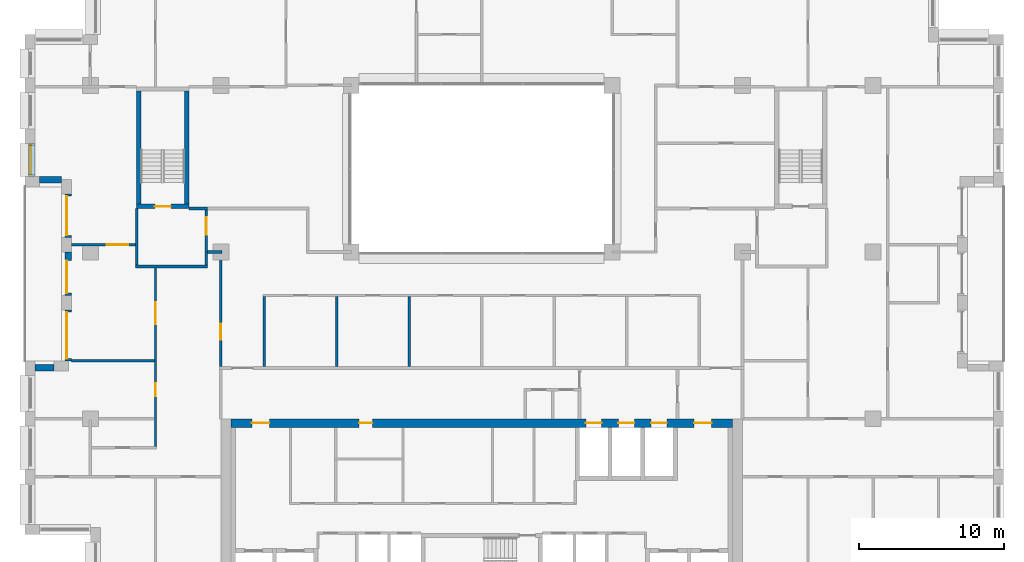
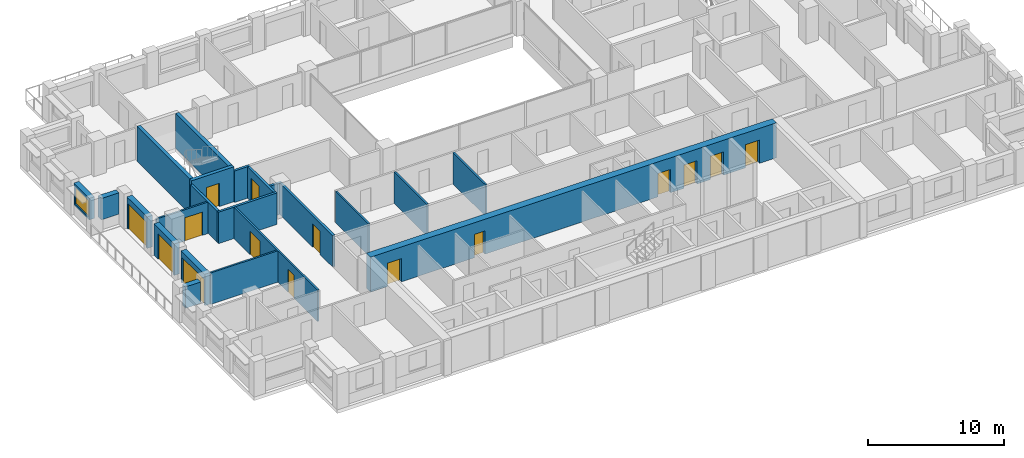
# One storey, part 9 of 16: 22 walls, 15 doors, 1 window, 16 openings.
"""IFC4 building model written with IfcOpenShell, lengths in metres."""

from ifc_helpers import new_model, si_unit, direction, frame, frame_2d, origin, place, context, subcontext, project, spatial, rectangle, extrude, material, layer, layer_set, type_object, element, fill, save


model = new_model("IFC4")

# Units and contexts
model_context = context("Model", 3, precision=1e-05, world=origin(), true_north=direction((0.0, 1.0)))
body_context = subcontext(model_context, "Body", "Model", "MODEL_VIEW")
ifc_project = project(units=[si_unit("LENGTHUNIT", "METRE"), si_unit("AREAUNIT", "SQUARE_METRE"), si_unit("VOLUMEUNIT", "CUBIC_METRE"), si_unit("PLANEANGLEUNIT", "RADIAN"), si_unit("MASSUNIT", "GRAM", prefix="KILO")], contexts=[model_context])

# Site, building, storey
site_placement = place(None, origin())
site = spatial("IfcSite", under=ifc_project, at=site_placement, CompositionType="ELEMENT")
building_placement = place(site_placement, origin())
building = spatial("IfcBuilding", under=site, at=building_placement, Name="Brigalow Station Residences", CompositionType="ELEMENT")
storey_placement = place(building_placement, frame((0.0, 0.0, 169.64990234375)))
storey = spatial("IfcBuildingStorey", under=building, at=storey_placement, Name="L49", CompositionType="ELEMENT", Elevation=169.64990234375)

# Wall, opening, window
ifc_material_1 = material(Name="Clay brick masonry", Category="masonry")
ifc_layer_1 = layer(ifc_material_1, 0.449951171875)
ifc_layer_set_1 = layer_set([ifc_layer_1], Name="BRICK INFILL WALL 450")
wall_type_1 = type_object("IfcWallType", Name="BRICK INFILL WALL 450", PredefinedType="SOLIDWALL", material=ifc_layer_set_1)
wall_1_placement = place(storey_placement, frame((4.97509765625, 31.5, 0.900146484375), z_axis=(0.0, 0.0, 1.0), x_axis=(0.0, -1.0, 0.0)))
wall_1 = element("IfcWall", 1, at=wall_1_placement, inside=storey, type_object=wall_type_1, Name="L49/ewall/W-L49-39", PredefinedType="SOLIDWALL", context=body_context, shape_type="SweptSolid", body=[
    extrude(rectangle(XDim=2.300048828125, YDim=0.449951171875, at=frame_2d((1.14990234375, 0.0))), origin(), (0.0, 0.0, 1.0), 1.929931640625),
])
opening_1_placement = place(wall_1_placement, frame((0.14990234375, 0.0, 0.14990234375)))
opening_1 = element("IfcOpeningElement", 2, at=opening_1_placement, cuts=wall_1, Name="Opening WT-7", PredefinedType="OPENING", context=body_context, shape_type="SweptSolid", body=[
    extrude(rectangle(XDim=2.0, YDim=1.5, at=frame_2d((1.0, 0.75))), frame((0.0, 0.23486328125, 0.0), z_axis=(0.0, -1.0, 0.0), x_axis=(1.0, 0.0, 0.0)), (0.0, 0.0, 1.0), 0.469970703125),
])
ifc_material_2 = material(Name="Anodised aluminium frame with double glazing", Category="aluminium")
window_type = type_object("IfcWindowType", Name="WINDOW 2000x1500", PartitioningType="SINGLE_PANEL", PredefinedType="WINDOW", material=ifc_material_2)
window_placement = place(opening_1_placement, origin())
window = element("IfcWindow", 3, at=window_placement, inside=storey, type_object=window_type, Name="L49/window/W-L49-39", OverallHeight=1.5, OverallWidth=2.0, PartitioningType="SINGLE_PANEL", PredefinedType="WINDOW", context=body_context, shape_type="SweptSolid", body=[
    extrude(rectangle(XDim=2.0, YDim=1.5, at=frame_2d((1.0, 0.75))), frame((0.0, -0.06494140625, 0.0), z_axis=(0.0, -1.0, 0.0), x_axis=(1.0, 0.0, 0.0)), (0.0, 0.0, 1.0), 0.06005859375),
])
fill(opening_1, window)

# Wall
wall_2_placement = place(storey_placement, frame((5.5, 28.97509765625, 0.900146484375), z_axis=(0.0, 0.0, 1.0), x_axis=(1.0, 0.0, 0.0)))
element("IfcWall", 4, at=wall_2_placement, inside=storey, type_object=wall_type_1, Name="L49/ewall/W-L49-40", PredefinedType="SOLIDWALL", context=body_context, shape_type="SweptSolid", body=[
    extrude(rectangle(XDim=1.5, YDim=0.449951171875, at=frame_2d((0.75, 0.0))), origin(), (0.0, 0.0, 1.0), 1.929931640625),
])

# Wall, opening, door
wall_3_placement = place(storey_placement, frame((7.47509765625, 28.0, 0.0), z_axis=(0.0, 0.0, 1.0), x_axis=(0.0, -1.0, 0.0)))
wall_3 = element("IfcWall", 5, at=wall_3_placement, inside=storey, type_object=wall_type_1, Name="L49/ewall/W-L49-41", PredefinedType="SOLIDWALL", context=body_context, shape_type="SweptSolid", body=[
    extrude(rectangle(XDim=3.0, YDim=0.449951171875, at=frame_2d((1.5, 0.0))), origin(), (0.0, 0.0, 1.0), 2.830078125),
])
opening_2_placement = place(wall_3_placement, frame((0.14990234375, 0.0, 0.0)))
opening_2 = element("IfcOpeningElement", 6, at=opening_2_placement, cuts=wall_3, Name="Opening D-B2700", PredefinedType="OPENING", context=body_context, shape_type="SweptSolid", body=[
    extrude(rectangle(XDim=2.699951171875, YDim=2.300048828125, at=frame_2d((1.35009765625, 1.14990234375))), frame((0.0, 0.23486328125, 0.0), z_axis=(0.0, -1.0, 0.0), x_axis=(1.0, 0.0, 0.0)), (0.0, 0.0, 1.0), 0.469970703125),
])
ifc_material_3 = material(Name="Anodised aluminium frame with double glazing", Category="aluminium")
door_type_1 = type_object("IfcDoorType", Name="BALCONY SLIDING DOOR 2700x2300", OperationType="SLIDING_TO_LEFT", PredefinedType="DOOR", material=ifc_material_3)
door_1_placement = place(opening_2_placement, origin())
door_1 = element("IfcDoor", 7, at=door_1_placement, inside=storey, type_object=door_type_1, Name="L49/balcony-door/W-L49-41", OperationType="SLIDING_TO_LEFT", OverallHeight=2.300048828125, OverallWidth=2.699951171875, PredefinedType="DOOR", context=body_context, shape_type="SweptSolid", body=[
    extrude(rectangle(XDim=2.699951171875, YDim=2.300048828125, at=frame_2d((1.35009765625, 1.14990234375))), frame((0.0, -0.06982421875, 0.0), z_axis=(0.0, -1.0, 0.0), x_axis=(1.0, 0.0, 0.0)), (0.0, 0.0, 1.0), 0.050048828125),
])
fill(opening_2, door_1)

wall_4_placement = place(storey_placement, frame((7.47509765625, 24.0, 0.0), z_axis=(0.0, 0.0, 1.0), x_axis=(0.0, -1.0, 0.0)))
wall_4 = element("IfcWall", 8, at=wall_4_placement, inside=storey, type_object=wall_type_1, Name="L49/ewall/W-L49-42", PredefinedType="SOLIDWALL", context=body_context, shape_type="SweptSolid", body=[
    extrude(rectangle(XDim=3.0, YDim=0.449951171875, at=frame_2d((1.5, 0.0))), origin(), (0.0, 0.0, 1.0), 2.830078125),
])
opening_3_placement = place(wall_4_placement, frame((0.5849609375, 0.0, 0.0)))
opening_3 = element("IfcOpeningElement", 9, at=opening_3_placement, cuts=wall_4, Name="Opening D-B2250", PredefinedType="OPENING", context=body_context, shape_type="SweptSolid", body=[
    extrude(rectangle(XDim=2.25, YDim=2.300048828125, at=frame_2d((1.125, 1.14990234375))), frame((0.0, 0.23486328125, 0.0), z_axis=(0.0, -1.0, 0.0), x_axis=(1.0, 0.0, 0.0)), (0.0, 0.0, 1.0), 0.469970703125),
])
ifc_material_4 = material(Name="Anodised aluminium frame with double glazing", Category="aluminium")
door_type_2 = type_object("IfcDoorType", Name="BALCONY SLIDING DOOR 2250x2300", OperationType="SLIDING_TO_LEFT", PredefinedType="DOOR", material=ifc_material_4)
door_2_placement = place(opening_3_placement, origin())
door_2 = element("IfcDoor", 10, at=door_2_placement, inside=storey, type_object=door_type_2, Name="L49/balcony-door/W-L49-42", OperationType="SLIDING_TO_LEFT", OverallHeight=2.300048828125, OverallWidth=2.25, PredefinedType="DOOR", context=body_context, shape_type="SweptSolid", body=[
    extrude(rectangle(XDim=2.25, YDim=2.300048828125, at=frame_2d((1.125, 1.14990234375))), frame((0.0, -0.06982421875, 0.0), z_axis=(0.0, -1.0, 0.0), x_axis=(1.0, 0.0, 0.0)), (0.0, 0.0, 1.0), 0.050048828125),
])
fill(opening_3, door_2)

wall_5_placement = place(storey_placement, frame((7.47509765625, 20.0, 0.0), z_axis=(0.0, 0.0, 1.0), x_axis=(0.0, -1.0, 0.0)))
wall_5 = element("IfcWall", 11, at=wall_5_placement, inside=storey, type_object=wall_type_1, Name="L49/ewall/W-L49-43", PredefinedType="SOLIDWALL", context=body_context, shape_type="SweptSolid", body=[
    extrude(rectangle(XDim=3.5, YDim=0.449951171875, at=frame_2d((1.75, 0.0))), origin(), (0.0, 0.0, 1.0), 2.830078125),
])
opening_4_placement = place(wall_5_placement, frame((0.14990234375, 0.0, 0.0)))
opening_4 = element("IfcOpeningElement", 12, at=opening_4_placement, cuts=wall_5, Name="Opening D-B3200", PredefinedType="OPENING", context=body_context, shape_type="SweptSolid", body=[
    extrude(rectangle(XDim=3.199951171875, YDim=2.300048828125, at=frame_2d((1.60009765625, 1.14990234375))), frame((0.0, 0.23486328125, 0.0), z_axis=(0.0, -1.0, 0.0), x_axis=(1.0, 0.0, 0.0)), (0.0, 0.0, 1.0), 0.469970703125),
])
ifc_material_5 = material(Name="Anodised aluminium frame with double glazing", Category="aluminium")
door_type_3 = type_object("IfcDoorType", Name="BALCONY SLIDING DOOR 3200x2300", OperationType="SLIDING_TO_LEFT", PredefinedType="DOOR", material=ifc_material_5)
door_3_placement = place(opening_4_placement, origin())
door_3 = element("IfcDoor", 13, at=door_3_placement, inside=storey, type_object=door_type_3, Name="L49/balcony-door/W-L49-43", OperationType="SLIDING_TO_LEFT", OverallHeight=2.300048828125, OverallWidth=3.199951171875, PredefinedType="DOOR", context=body_context, shape_type="SweptSolid", body=[
    extrude(rectangle(XDim=3.199951171875, YDim=2.300048828125, at=frame_2d((1.60009765625, 1.14990234375))), frame((0.0, -0.06982421875, 0.0), z_axis=(0.0, -1.0, 0.0), x_axis=(1.0, 0.0, 0.0)), (0.0, 0.0, 1.0), 0.050048828125),
])
fill(opening_4, door_3)

# Wall
wall_6_placement = place(storey_placement, frame((6.5, 16.02490234375, 0.900146484375), z_axis=(0.0, 0.0, 1.0), x_axis=(-1.0, 0.0, 0.0)))
element("IfcWall", 14, at=wall_6_placement, inside=storey, type_object=wall_type_1, Name="L49/ewall/W-L49-44", PredefinedType="SOLIDWALL", context=body_context, shape_type="SweptSolid", body=[
    extrude(rectangle(XDim=1.300048828125, YDim=0.449951171875, at=frame_2d((0.64990234375, 0.0))), origin(), (0.0, 0.0, 1.0), 1.929931640625),
])

# Wall, opening, door
ifc_material_6 = material(Name="Concrete C65", Category="concrete")
ifc_layer_2 = layer(ifc_material_6, 0.300048828125)
ifc_layer_set_2 = layer_set([ifc_layer_2], Name="CORE SHEAR WALL 300 C65")
wall_type_2 = type_object("IfcWallType", Name="CORE SHEAR WALL 300 C65", PredefinedType="SHEAR", material=ifc_layer_set_2)
wall_7_placement = place(storey_placement, frame((12.199951171875, 27.14990234375, 0.0), z_axis=(0.0, 0.0, 1.0), x_axis=(1.0, 0.0, 0.0)))
wall_7 = element("IfcWall", 15, at=wall_7_placement, inside=storey, type_object=wall_type_2, Name="CORE WALL ST-S1-S L49", PredefinedType="SHEAR", context=body_context, shape_type="SweptSolid", body=[
    extrude(rectangle(XDim=3.60009765625, YDim=0.300048828125, at=frame_2d((1.800048828125, 0.0))), origin(), (0.0, 0.0, 1.0), 3.150146484375),
])
opening_5_placement = place(wall_7_placement, frame((1.25, 0.0, 0.0)))
opening_5 = element("IfcOpeningElement", 16, at=opening_5_placement, cuts=wall_7, Name="Opening D-5015", PredefinedType="OPENING", context=body_context, shape_type="SweptSolid", body=[
    extrude(rectangle(XDim=1.10009765625, YDim=2.10009765625, at=frame_2d((0.550048828125, 1.050048828125))), frame((0.0, 0.16015625, 0.0), z_axis=(0.0, -1.0, 0.0), x_axis=(1.0, 0.0, 0.0)), (0.0, 0.0, 1.0), 0.320068359375),
])
ifc_material_7 = material(Name="Steel fire door leaf in steel frame", Category="steel")
door_type_4 = type_object("IfcDoorType", Name="STAIR DOOR 1100 x 2100 FD60S", OperationType="SINGLE_SWING_LEFT", PredefinedType="DOOR", material=ifc_material_7)
door_4_placement = place(opening_5_placement, origin())
door_4 = element("IfcDoor", 17, at=door_4_placement, inside=storey, type_object=door_type_4, Name="D-5015", OperationType="SINGLE_SWING_LEFT", OverallHeight=2.10009765625, OverallWidth=1.10009765625, PredefinedType="DOOR", context=body_context, shape_type="SweptSolid", body=[
    extrude(rectangle(XDim=1.10009765625, YDim=2.10009765625, at=frame_2d((0.550048828125, 1.050048828125))), frame((0.0, 0.02490234375, 0.0), z_axis=(0.0, -1.0, 0.0), x_axis=(1.0, 0.0, 0.0)), (0.0, 0.0, 1.0), 0.050048828125),
])
fill(opening_5, door_4)

# Walls
for number, where, z_axis, x_axis, name in (
    (18, (12.35009765625, 27.300048828125, 0.0), (0.0, 0.0, 1.0), (0.0, 1.0, 0.0), "CORE WALL ST-S1-W L49"),
    (19, (15.64990234375, 27.300048828125, 0.0), (0.0, 0.0, 1.0), (0.0, 1.0, 0.0), "CORE WALL ST-S1-E L49"),
):
    element("IfcWall", number, at=place(storey_placement, frame(where, z_axis=z_axis, x_axis=x_axis)), inside=storey, type_object=wall_type_2, Name=name, PredefinedType="SHEAR", context=body_context, shape_type="SweptSolid", body=[
        extrude(rectangle(XDim=7.800048828125, YDim=0.300048828125, at=frame_2d((3.89990234375, 0.0))), origin(), (0.0, 0.0, 1.0), 3.150146484375),
    ])

# Wall, openings, doors
ifc_material_8 = material(Name="Concrete C65", Category="concrete")
ifc_layer_3 = layer(ifc_material_8, 0.60009765625)
ifc_layer_set_3 = layer_set([ifc_layer_3], Name="CORE SHEAR WALL 600 C65")
wall_type_3 = type_object("IfcWallType", Name="CORE SHEAR WALL 600 C65", PredefinedType="SHEAR", material=ifc_layer_set_3)
wall_8_placement = place(storey_placement, frame((18.699951171875, 12.199951171875, 0.0), z_axis=(0.0, 0.0, 1.0), x_axis=(1.0, 0.0, 0.0)))
wall_8 = element("IfcWall", 20, at=wall_8_placement, inside=storey, type_object=wall_type_3, Name="CORE WALL OUT-N L49", PredefinedType="SHEAR", context=body_context, shape_type="SweptSolid", body=[
    extrude(rectangle(XDim=34.60009765625, YDim=0.60009765625, at=frame_2d((17.300048828125, 0.0))), origin(), (0.0, 0.0, 1.0), 3.150146484375),
])
opening_6_placement = place(wall_8_placement, frame((24.47509765625, 0.0, 0.0)))
opening_6 = element("IfcOpeningElement", 21, at=opening_6_placement, cuts=wall_8, Name="Opening LD-LF1", PredefinedType="OPENING", context=body_context, shape_type="SweptSolid", body=[
    extrude(rectangle(XDim=1.10009765625, YDim=2.10009765625, at=frame_2d((0.550048828125, 1.050048828125))), frame((0.0, 0.31005859375, 0.0), z_axis=(0.0, -1.0, 0.0), x_axis=(1.0, 0.0, 0.0)), (0.0, 0.0, 1.0), 0.6201171875),
])
opening_7_placement = place(wall_8_placement, frame((26.72509765625, 0.0, 0.0)))
opening_7 = element("IfcOpeningElement", 22, at=opening_7_placement, cuts=wall_8, Name="Opening LD-LF2", PredefinedType="OPENING", context=body_context, shape_type="SweptSolid", body=[
    extrude(rectangle(XDim=1.10009765625, YDim=2.10009765625, at=frame_2d((0.550048828125, 1.050048828125))), frame((0.0, 0.31005859375, 0.0), z_axis=(0.0, -1.0, 0.0), x_axis=(1.0, 0.0, 0.0)), (0.0, 0.0, 1.0), 0.6201171875),
])
opening_8_placement = place(wall_8_placement, frame((28.97509765625, 0.0, 0.0)))
opening_8 = element("IfcOpeningElement", 23, at=opening_8_placement, cuts=wall_8, Name="Opening LD-LG1", PredefinedType="OPENING", context=body_context, shape_type="SweptSolid", body=[
    extrude(rectangle(XDim=1.10009765625, YDim=2.10009765625, at=frame_2d((0.550048828125, 1.050048828125))), frame((0.0, 0.31005859375, 0.0), z_axis=(0.0, -1.0, 0.0), x_axis=(1.0, 0.0, 0.0)), (0.0, 0.0, 1.0), 0.6201171875),
])
opening_9_placement = place(wall_8_placement, frame((8.85009765625, 0.0, 0.0)))
opening_9 = element("IfcOpeningElement", 24, at=opening_9_placement, cuts=wall_8, Name="Opening D-5121", PredefinedType="OPENING", context=body_context, shape_type="SweptSolid", body=[
    extrude(rectangle(XDim=0.89990234375, YDim=2.10009765625, at=frame_2d((0.449951171875, 1.050048828125))), frame((0.0, 0.31005859375, 0.0), z_axis=(0.0, -1.0, 0.0), x_axis=(1.0, 0.0, 0.0)), (0.0, 0.0, 1.0), 0.6201171875),
])
opening_10_placement = place(wall_8_placement, frame((1.449951171875, 0.0, 0.0)))
opening_10 = element("IfcOpeningElement", 25, at=opening_10_placement, cuts=wall_8, Name="Opening D-5011", PredefinedType="OPENING", context=body_context, shape_type="SweptSolid", body=[
    extrude(rectangle(XDim=1.199951171875, YDim=2.10009765625, at=frame_2d((0.60009765625, 1.050048828125))), frame((0.0, 0.31005859375, 0.0), z_axis=(0.0, -1.0, 0.0), x_axis=(1.0, 0.0, 0.0)), (0.0, 0.0, 1.0), 0.6201171875),
])
opening_11_placement = place(wall_8_placement, frame((31.949951171875, 0.0, 0.0)))
opening_11 = element("IfcOpeningElement", 26, at=opening_11_placement, cuts=wall_8, Name="Opening D-5012", PredefinedType="OPENING", context=body_context, shape_type="SweptSolid", body=[
    extrude(rectangle(XDim=1.199951171875, YDim=2.10009765625, at=frame_2d((0.60009765625, 1.050048828125))), frame((0.0, 0.31005859375, 0.0), z_axis=(0.0, -1.0, 0.0), x_axis=(1.0, 0.0, 0.0)), (0.0, 0.0, 1.0), 0.6201171875),
])
ifc_material_9 = material(Name="Steel fire door leaf in steel frame", Category="steel")
door_type_5 = type_object("IfcDoorType", Name="CORE CORRIDOR DOOR 1200 x 2100 FD60S", OperationType="SINGLE_SWING_LEFT", PredefinedType="DOOR", material=ifc_material_9)
door_5_placement = place(opening_10_placement, frame((1.199951171875, 0.0, 0.0), z_axis=(0.0, 0.0, 1.0), x_axis=(-1.0, 0.0, 0.0)))
door_5 = element("IfcDoor", 27, at=door_5_placement, inside=storey, type_object=door_type_5, Name="D-5011", OperationType="SINGLE_SWING_LEFT", OverallHeight=2.10009765625, OverallWidth=1.199951171875, PredefinedType="DOOR", context=body_context, shape_type="SweptSolid", body=[
    extrude(rectangle(XDim=1.199951171875, YDim=2.10009765625, at=frame_2d((0.60009765625, 1.050048828125))), frame((0.0, 0.02490234375, 0.0), z_axis=(0.0, -1.0, 0.0), x_axis=(1.0, 0.0, 0.0)), (0.0, 0.0, 1.0), 0.050048828125),
])
fill(opening_10, door_5)
door_6_placement = place(opening_11_placement, frame((1.199951171875, 0.0, 0.0), z_axis=(0.0, 0.0, 1.0), x_axis=(-1.0, 0.0, 0.0)))
door_6 = element("IfcDoor", 28, at=door_6_placement, inside=storey, type_object=door_type_5, Name="D-5012", OperationType="SINGLE_SWING_RIGHT", OverallHeight=2.10009765625, OverallWidth=1.199951171875, PredefinedType="DOOR", context=body_context, shape_type="SweptSolid", body=[
    extrude(rectangle(XDim=1.199951171875, YDim=2.10009765625, at=frame_2d((0.60009765625, 1.050048828125))), frame((0.0, 0.02490234375, 0.0), z_axis=(0.0, -1.0, 0.0), x_axis=(1.0, 0.0, 0.0)), (0.0, 0.0, 1.0), 0.050048828125),
])
fill(opening_11, door_6)
ifc_material_10 = material(Name="Stainless steel sliding door leaves", Category="steel")
door_type_6 = type_object("IfcDoorType", Name="LIFT LANDING DOOR 1100 x 2100", OperationType="DOUBLE_DOOR_SLIDING", PredefinedType="DOOR", material=ifc_material_10)
door_7_placement = place(opening_6_placement, origin())
door_7 = element("IfcDoor", 29, at=door_7_placement, inside=storey, type_object=door_type_6, Name="LANDING DOOR LF1", OperationType="DOUBLE_DOOR_SLIDING", OverallHeight=2.10009765625, OverallWidth=1.10009765625, PredefinedType="DOOR", context=body_context, shape_type="SweptSolid", body=[
    extrude(rectangle(XDim=1.10009765625, YDim=2.10009765625, at=frame_2d((0.550048828125, 1.050048828125))), frame((0.0, 0.02490234375, 0.0), z_axis=(0.0, -1.0, 0.0), x_axis=(1.0, 0.0, 0.0)), (0.0, 0.0, 1.0), 0.050048828125),
])
fill(opening_6, door_7)
door_8_placement = place(opening_7_placement, origin())
door_8 = element("IfcDoor", 30, at=door_8_placement, inside=storey, type_object=door_type_6, Name="LANDING DOOR LF2", OperationType="DOUBLE_DOOR_SLIDING", OverallHeight=2.10009765625, OverallWidth=1.10009765625, PredefinedType="DOOR", context=body_context, shape_type="SweptSolid", body=[
    extrude(rectangle(XDim=1.10009765625, YDim=2.10009765625, at=frame_2d((0.550048828125, 1.050048828125))), frame((0.0, 0.02490234375, 0.0), z_axis=(0.0, -1.0, 0.0), x_axis=(1.0, 0.0, 0.0)), (0.0, 0.0, 1.0), 0.050048828125),
])
fill(opening_7, door_8)
door_9_placement = place(opening_8_placement, origin())
door_9 = element("IfcDoor", 31, at=door_9_placement, inside=storey, type_object=door_type_6, Name="LANDING DOOR LG1", OperationType="DOUBLE_DOOR_SLIDING", OverallHeight=2.10009765625, OverallWidth=1.10009765625, PredefinedType="DOOR", context=body_context, shape_type="SweptSolid", body=[
    extrude(rectangle(XDim=1.10009765625, YDim=2.10009765625, at=frame_2d((0.550048828125, 1.050048828125))), frame((0.0, 0.02490234375, 0.0), z_axis=(0.0, -1.0, 0.0), x_axis=(1.0, 0.0, 0.0)), (0.0, 0.0, 1.0), 0.050048828125),
])
fill(opening_8, door_9)
ifc_material_11 = material(Name="Steel door leaf in steel frame", Category="steel")
door_type_7 = type_object("IfcDoorType", Name="SERVICE ROOM DOOR 900 x 2100 FD60", OperationType="SINGLE_SWING_LEFT", PredefinedType="DOOR", material=ifc_material_11)
door_10_placement = place(opening_9_placement, frame((0.89990234375, 0.0, 0.0), z_axis=(0.0, 0.0, 1.0), x_axis=(-1.0, 0.0, 0.0)))
door_10 = element("IfcDoor", 32, at=door_10_placement, inside=storey, type_object=door_type_7, Name="D-5121", OperationType="SINGLE_SWING_RIGHT", OverallHeight=2.10009765625, OverallWidth=0.89990234375, PredefinedType="DOOR", context=body_context, shape_type="SweptSolid", body=[
    extrude(rectangle(XDim=0.89990234375, YDim=2.10009765625, at=frame_2d((0.449951171875, 1.050048828125))), frame((0.0, 0.02490234375, 0.0), z_axis=(0.0, -1.0, 0.0), x_axis=(1.0, 0.0, 0.0)), (0.0, 0.0, 1.0), 0.050048828125),
])
fill(opening_9, door_10)

# Walls
ifc_material_12 = material(Name="Concrete blockwork", Category="masonry")
ifc_layer_4 = layer(ifc_material_12, 0.199951171875)
ifc_layer_set_4 = layer_set([ifc_layer_4], Name="FIRE RATED CORE PARTITION 200")
wall_type_4 = type_object("IfcWallType", Name="FIRE RATED CORE PARTITION 200", PredefinedType="PARTITIONING", material=ifc_layer_set_4)
wall_9_placement = place(storey_placement, frame((12.10009765625, 23.0, 0.0), z_axis=(0.0, 0.0, 1.0), x_axis=(1.0, 0.0, 0.0)))
element("IfcWall", 33, at=wall_9_placement, inside=storey, type_object=wall_type_4, Name="PW-5023", PredefinedType="PARTITIONING", context=body_context, shape_type="SweptSolid", body=[
    extrude(rectangle(XDim=5.0, YDim=0.199951171875, at=frame_2d((2.5, 0.0))), origin(), (0.0, 0.0, 1.0), 2.830078125),
])
wall_10_placement = place(storey_placement, frame((15.800048828125, 27.0, 0.0), z_axis=(0.0, 0.0, 1.0), x_axis=(1.0, 0.0, 0.0)))
element("IfcWall", 34, at=wall_10_placement, inside=storey, type_object=wall_type_4, Name="PW-5025", PredefinedType="PARTITIONING", context=body_context, shape_type="SweptSolid", body=[
    extrude(rectangle(XDim=1.300048828125, YDim=0.199951171875, at=frame_2d((0.64990234375, 0.0))), origin(), (0.0, 0.0, 1.0), 2.830078125),
])
wall_11_placement = place(storey_placement, frame((12.199951171875, 23.10009765625, 0.0), z_axis=(0.0, 0.0, 1.0), x_axis=(0.0, 1.0, 0.0)))
element("IfcWall", 35, at=wall_11_placement, inside=storey, type_object=wall_type_4, Name="PW-5034", PredefinedType="PARTITIONING", context=body_context, shape_type="SweptSolid", body=[
    extrude(rectangle(XDim=3.89990234375, YDim=0.199951171875, at=frame_2d((1.949951171875, 0.0))), origin(), (0.0, 0.0, 1.0), 2.830078125),
])

# Wall, opening, door
wall_12_placement = place(storey_placement, frame((17.0, 23.10009765625, 0.0), z_axis=(0.0, 0.0, 1.0), x_axis=(0.0, 1.0, 0.0)))
wall_12 = element("IfcWall", 36, at=wall_12_placement, inside=storey, type_object=wall_type_4, Name="PW-5035", PredefinedType="PARTITIONING", context=body_context, shape_type="SweptSolid", body=[
    extrude(rectangle(XDim=3.7998046875, YDim=0.199951171875, at=frame_2d((1.89990234375, 0.0))), origin(), (0.0, 0.0, 1.0), 2.830078125),
])
opening_12_placement = place(wall_12_placement, frame((2.10009765625, 0.0, 0.0)))
opening_12 = element("IfcOpeningElement", 37, at=opening_12_placement, cuts=wall_12, Name="Opening D-5016", PredefinedType="OPENING", context=body_context, shape_type="SweptSolid", body=[
    extrude(rectangle(XDim=1.199951171875, YDim=2.10009765625, at=frame_2d((0.60009765625, 1.050048828125))), frame((0.0, 0.10986328125, 0.0), z_axis=(0.0, -1.0, 0.0), x_axis=(1.0, 0.0, 0.0)), (0.0, 0.0, 1.0), 0.219970703125),
])
ifc_material_13 = material(Name="Steel fire door leaf in steel frame", Category="steel")
door_type_8 = type_object("IfcDoorType", Name="STAIR LOBBY DOOR 1200 x 2100 FD60S", OperationType="SINGLE_SWING_LEFT", PredefinedType="DOOR", material=ifc_material_13)
door_11_placement = place(opening_12_placement, origin())
door_11 = element("IfcDoor", 38, at=door_11_placement, inside=storey, type_object=door_type_8, Name="D-5016", OperationType="SINGLE_SWING_RIGHT", OverallHeight=2.10009765625, OverallWidth=1.199951171875, PredefinedType="DOOR", context=body_context, shape_type="SweptSolid", body=[
    extrude(rectangle(XDim=1.199951171875, YDim=2.10009765625, at=frame_2d((0.60009765625, 1.050048828125))), frame((0.0, 0.02490234375, 0.0), z_axis=(0.0, -1.0, 0.0), x_axis=(1.0, 0.0, 0.0)), (0.0, 0.0, 1.0), 0.050048828125),
])
fill(opening_12, door_11)

# Wall
ifc_material_14 = material(Name="Plasterboard on steel stud partition", Category="steel")
ifc_layer_5 = layer(ifc_material_14, 0.14990234375)
ifc_layer_set_5 = layer_set([ifc_layer_5], Name="FLAT PARTITION 150")
wall_type_5 = type_object("IfcWallType", Name="FLAT PARTITION 150", PredefinedType="PARTITIONING", material=ifc_layer_set_5)
wall_13_placement = place(storey_placement, frame((7.699951171875, 16.5, 0.0), z_axis=(0.0, 0.0, 1.0), x_axis=(1.0, 0.0, 0.0)))
element("IfcWall", 39, at=wall_13_placement, inside=storey, type_object=wall_type_5, Name="PW-3D13", PredefinedType="PARTITIONING", context=body_context, shape_type="SweptSolid", body=[
    extrude(rectangle(XDim=5.72509765625, YDim=0.14990234375, at=frame_2d((2.862548828125, 0.0))), origin(), (0.0, 0.0, 1.0), 2.830078125),
])

# Wall, opening, door
wall_14_placement = place(storey_placement, frame((7.699951171875, 24.5, 0.0), z_axis=(0.0, 0.0, 1.0), x_axis=(1.0, 0.0, 0.0)))
wall_14 = element("IfcWall", 40, at=wall_14_placement, inside=storey, type_object=wall_type_5, Name="PW-3D15", PredefinedType="PARTITIONING", context=body_context, shape_type="SweptSolid", body=[
    extrude(rectangle(XDim=4.400146484375, YDim=0.14990234375, at=frame_2d((2.2001953125, 0.0))), origin(), (0.0, 0.0, 1.0), 2.830078125),
])
opening_13_placement = place(wall_14_placement, frame((2.425048828125, 0.0, 0.0)))
opening_13 = element("IfcOpeningElement", 41, at=opening_13_placement, cuts=wall_14, Name="Opening D-3D10", PredefinedType="OPENING", context=body_context, shape_type="SweptSolid", body=[
    extrude(rectangle(XDim=1.5, YDim=2.10009765625, at=frame_2d((0.75, 1.050048828125))), frame((0.0, 0.0849609375, 0.0), z_axis=(0.0, -1.0, 0.0), x_axis=(1.0, 0.0, 0.0)), (0.0, 0.0, 1.0), 0.169921875),
])
ifc_material_15 = material(Name="Solid-core timber door leaf", Category="wood")
door_type_9 = type_object("IfcDoorType", Name="INTERNAL DOUBLE DOOR 1500 x 2100", OperationType="DOUBLE_DOOR_SINGLE_SWING", PredefinedType="DOOR", material=ifc_material_15)
door_12_placement = place(opening_13_placement, frame((1.5, 0.0, 0.0), z_axis=(0.0, 0.0, 1.0), x_axis=(-1.0, 0.0, 0.0)))
door_12 = element("IfcDoor", 42, at=door_12_placement, inside=storey, type_object=door_type_9, Name="D-3D10", OperationType="DOUBLE_DOOR_SINGLE_SWING", OverallHeight=2.10009765625, OverallWidth=1.5, PredefinedType="DOOR", context=body_context, shape_type="SweptSolid", body=[
    extrude(rectangle(XDim=1.5, YDim=2.10009765625, at=frame_2d((0.75, 1.050048828125))), frame((0.0, 0.02490234375, 0.0), z_axis=(0.0, -1.0, 0.0), x_axis=(1.0, 0.0, 0.0)), (0.0, 0.0, 1.0), 0.050048828125),
])
fill(opening_13, door_12)

# Wall
wall_15_placement = place(storey_placement, frame((21.0, 16.10009765625, 0.0), z_axis=(0.0, 0.0, 1.0), x_axis=(0.0, 1.0, 0.0)))
element("IfcWall", 43, at=wall_15_placement, inside=storey, type_object=wall_type_5, Name="PW-3D30", PredefinedType="PARTITIONING", context=body_context, shape_type="SweptSolid", body=[
    extrude(rectangle(XDim=4.824951171875, YDim=0.14990234375, at=frame_2d((2.41259765625, 0.0))), origin(), (0.0, 0.0, 1.0), 2.830078125),
])

# Wall, openings, doors
wall_16_placement = place(storey_placement, frame((13.5, 10.574951171875, 0.0), z_axis=(0.0, 0.0, 1.0), x_axis=(0.0, 1.0, 0.0)))
wall_16 = element("IfcWall", 44, at=wall_16_placement, inside=storey, type_object=wall_type_5, Name="PW-3D36", PredefinedType="PARTITIONING", context=body_context, shape_type="SweptSolid", body=[
    extrude(rectangle(XDim=12.324951171875, YDim=0.14990234375, at=frame_2d((6.16259765625, 0.0))), origin(), (0.0, 0.0, 1.0), 2.830078125),
])
opening_14_placement = place(wall_16_placement, frame((3.47509765625, 0.0, 0.0)))
opening_14 = element("IfcOpeningElement", 45, at=opening_14_placement, cuts=wall_16, Name="Opening D-3D08", PredefinedType="OPENING", context=body_context, shape_type="SweptSolid", body=[
    extrude(rectangle(XDim=0.89990234375, YDim=2.10009765625, at=frame_2d((0.449951171875, 1.050048828125))), frame((0.0, 0.0849609375, 0.0), z_axis=(0.0, -1.0, 0.0), x_axis=(1.0, 0.0, 0.0)), (0.0, 0.0, 1.0), 0.169921875),
])
opening_15_placement = place(wall_16_placement, frame((8.449951171875, 0.0, 0.0)))
opening_15 = element("IfcOpeningElement", 46, at=opening_15_placement, cuts=wall_16, Name="Opening D-3D09", PredefinedType="OPENING", context=body_context, shape_type="SweptSolid", body=[
    extrude(rectangle(XDim=1.5, YDim=2.10009765625, at=frame_2d((0.75, 1.050048828125))), frame((0.0, 0.0849609375, 0.0), z_axis=(0.0, -1.0, 0.0), x_axis=(1.0, 0.0, 0.0)), (0.0, 0.0, 1.0), 0.169921875),
])
ifc_material_16 = material(Name="Solid-core timber door leaf", Category="wood")
door_type_10 = type_object("IfcDoorType", Name="INTERNAL DOOR 900 x 2100", OperationType="SINGLE_SWING_LEFT", PredefinedType="DOOR", material=ifc_material_16)
door_13_placement = place(opening_14_placement, origin())
door_13 = element("IfcDoor", 47, at=door_13_placement, inside=storey, type_object=door_type_10, Name="D-3D08", OperationType="SINGLE_SWING_RIGHT", OverallHeight=2.10009765625, OverallWidth=0.89990234375, PredefinedType="DOOR", context=body_context, shape_type="SweptSolid", body=[
    extrude(rectangle(XDim=0.89990234375, YDim=2.10009765625, at=frame_2d((0.449951171875, 1.050048828125))), frame((0.0, 0.02490234375, 0.0), z_axis=(0.0, -1.0, 0.0), x_axis=(1.0, 0.0, 0.0)), (0.0, 0.0, 1.0), 0.050048828125),
])
fill(opening_14, door_13)
door_14_placement = place(opening_15_placement, origin())
door_14 = element("IfcDoor", 48, at=door_14_placement, inside=storey, type_object=door_type_9, Name="D-3D09", OperationType="DOUBLE_DOOR_SINGLE_SWING", OverallHeight=2.10009765625, OverallWidth=1.5, PredefinedType="DOOR", context=body_context, shape_type="SweptSolid", body=[
    extrude(rectangle(XDim=1.5, YDim=2.10009765625, at=frame_2d((0.75, 1.050048828125))), frame((0.0, 0.02490234375, 0.0), z_axis=(0.0, -1.0, 0.0), x_axis=(1.0, 0.0, 0.0)), (0.0, 0.0, 1.0), 0.050048828125),
])
fill(opening_15, door_14)

# Walls
for number, where, z_axis, x_axis, name in (
    (49, (26.0, 16.10009765625, 0.0), (0.0, 0.0, 1.0), (0.0, 1.0, 0.0), "PW-3D55"),
    (50, (31.0, 16.10009765625, 0.0), (0.0, 0.0, 1.0), (0.0, 1.0, 0.0), "PW-3D56"),
):
    element("IfcWall", number, at=place(storey_placement, frame(where, z_axis=z_axis, x_axis=x_axis)), inside=storey, type_object=wall_type_5, Name=name, PredefinedType="PARTITIONING", context=body_context, shape_type="SweptSolid", body=[
        extrude(rectangle(XDim=4.824951171875, YDim=0.14990234375, at=frame_2d((2.41259765625, 0.0))), origin(), (0.0, 0.0, 1.0), 2.830078125),
    ])
ifc_material_17 = material(Name="Plasterboard on steel stud partition", Category="steel")
ifc_layer_6 = layer(ifc_material_17, 0.199951171875)
ifc_layer_set_6 = layer_set([ifc_layer_6], Name="PARTY AND CORRIDOR WALL 200")
wall_type_6 = type_object("IfcWallType", Name="PARTY AND CORRIDOR WALL 200", PredefinedType="PARTITIONING", material=ifc_layer_set_6)
wall_17_placement = place(storey_placement, frame((17.10009765625, 24.0, 0.0), z_axis=(0.0, 0.0, 1.0), x_axis=(1.0, 0.0, 0.0)))
element("IfcWall", 51, at=wall_17_placement, inside=storey, type_object=wall_type_6, Name="PW-3D02", PredefinedType="PARTITIONING", context=body_context, shape_type="SweptSolid", body=[
    extrude(rectangle(XDim=1.0, YDim=0.199951171875, at=frame_2d((0.5, 0.0))), origin(), (0.0, 0.0, 1.0), 2.830078125),
])

# Wall, opening, door
wall_18_placement = place(storey_placement, frame((18.0, 16.10009765625, 0.0), z_axis=(0.0, 0.0, 1.0), x_axis=(0.0, 1.0, 0.0)))
wall_18 = element("IfcWall", 52, at=wall_18_placement, inside=storey, type_object=wall_type_6, Name="PW-3D28", PredefinedType="PARTITIONING", context=body_context, shape_type="SweptSolid", body=[
    extrude(rectangle(XDim=7.7998046875, YDim=0.199951171875, at=frame_2d((3.89990234375, 0.0))), origin(), (0.0, 0.0, 1.0), 2.830078125),
])
opening_16_placement = place(wall_18_placement, frame((1.85009765625, 0.0, 0.0)))
opening_16 = element("IfcOpeningElement", 53, at=opening_16_placement, cuts=wall_18, Name="Opening D-3D03", PredefinedType="OPENING", context=body_context, shape_type="SweptSolid", body=[
    extrude(rectangle(XDim=1.10009765625, YDim=2.10009765625, at=frame_2d((0.550048828125, 1.050048828125))), frame((0.0, 0.10986328125, 0.0), z_axis=(0.0, -1.0, 0.0), x_axis=(1.0, 0.0, 0.0)), (0.0, 0.0, 1.0), 0.219970703125),
])
ifc_material_18 = material(Name="Solid-core timber door leaf", Category="wood")
door_type_11 = type_object("IfcDoorType", Name="FLAT ENTRANCE DOOR 1100 x 2100 FRL -/60/30", OperationType="SINGLE_SWING_LEFT", PredefinedType="DOOR", material=ifc_material_18)
door_15_placement = place(opening_16_placement, origin())
door_15 = element("IfcDoor", 54, at=door_15_placement, inside=storey, type_object=door_type_11, Name="D-3D03", OperationType="SINGLE_SWING_RIGHT", OverallHeight=2.10009765625, OverallWidth=1.10009765625, PredefinedType="DOOR", context=body_context, shape_type="SweptSolid", body=[
    extrude(rectangle(XDim=1.10009765625, YDim=2.10009765625, at=frame_2d((0.550048828125, 1.050048828125))), frame((0.0, 0.02490234375, 0.0), z_axis=(0.0, -1.0, 0.0), x_axis=(1.0, 0.0, 0.0)), (0.0, 0.0, 1.0), 0.050048828125),
])
fill(opening_16, door_15)

save(model, "model.ifc")
